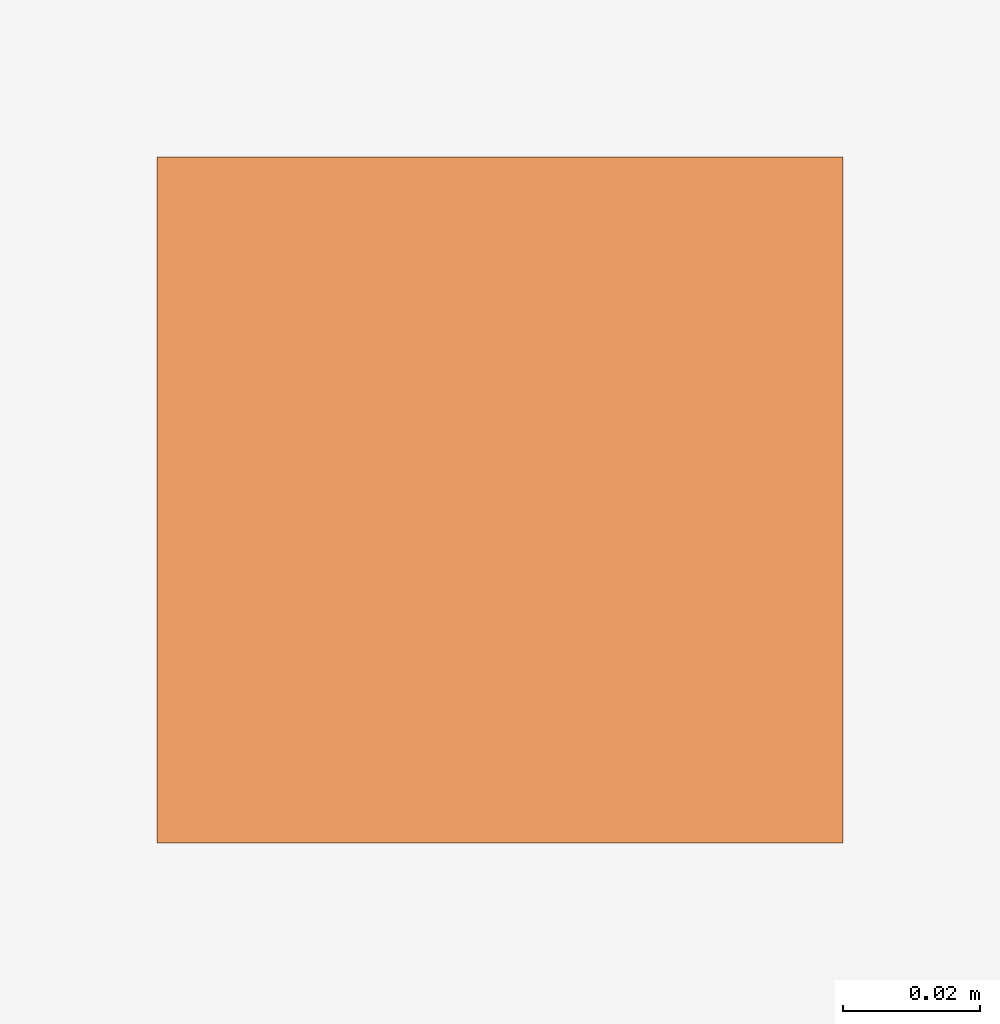
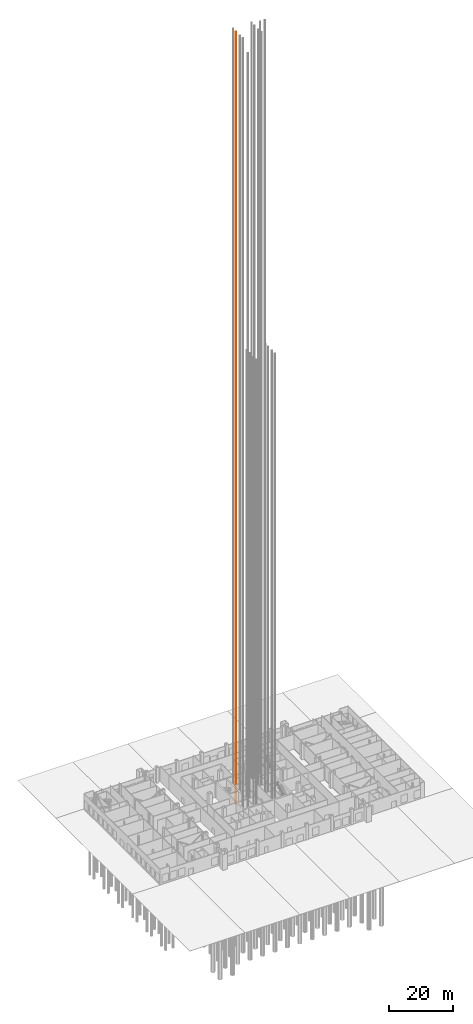
# One storey, part 31 of 36: 1 proxy.
"""IFC4 building model written with IfcOpenShell, lengths in metres."""

from ifc_helpers import new_model, si_unit, direction, frame, origin, origin_2d, place, context, subcontext, project, spatial, rectangle, extrude, material, type_object, element, save


model = new_model("IFC4")

# Units and contexts
model_context = context("Model", 3, precision=1e-05, world=origin(), true_north=direction((0.0, 1.0)))
body_context = subcontext(model_context, "Body", "Model", "MODEL_VIEW")
ifc_project = project(units=[si_unit("LENGTHUNIT", "METRE"), si_unit("AREAUNIT", "SQUARE_METRE"), si_unit("VOLUMEUNIT", "CUBIC_METRE"), si_unit("PLANEANGLEUNIT", "RADIAN"), si_unit("MASSUNIT", "GRAM", prefix="KILO")], contexts=[model_context])

# Site, building, storey
site_placement = place(None, origin())
site = spatial("IfcSite", under=ifc_project, at=site_placement, CompositionType="ELEMENT")
building_placement = place(site_placement, origin())
building = spatial("IfcBuilding", under=site, at=building_placement, Name="Malebo Sky Hospital", CompositionType="ELEMENT")
storey_placement = place(building_placement, origin())
storey = spatial("IfcBuildingStorey", under=building, at=storey_placement, Name="L00", CompositionType="ELEMENT", Elevation=0.0)

# Proxy
ifc_material = material(Name="Steel S355", Category="steel")
building_element_proxy_type = type_object("IfcBuildingElementProxyType", Name="LIFT GUIDE RAIL 100", PredefinedType="USERDEFINED", material=ifc_material)
proxy_placement = place(storey_placement, frame((56.64990234375, 67.52490234375, 0.0)))
element("IfcBuildingElementProxy", 1, at=proxy_placement, inside=storey, type_object=building_element_proxy_type, Name="Lift W4 guide rail 1", ObjectType="LIFT GUIDE RAIL", PredefinedType="USERDEFINED", context=body_context, shape_type="SweptSolid", body=[
    extrude(rectangle(XDim=0.10009765625, YDim=0.10009765625, at=origin_2d()), frame((0.0, 0.0, -2.25)), (0.0, 0.0, 1.0), 295.75),
])

save(model, "model.ifc")
